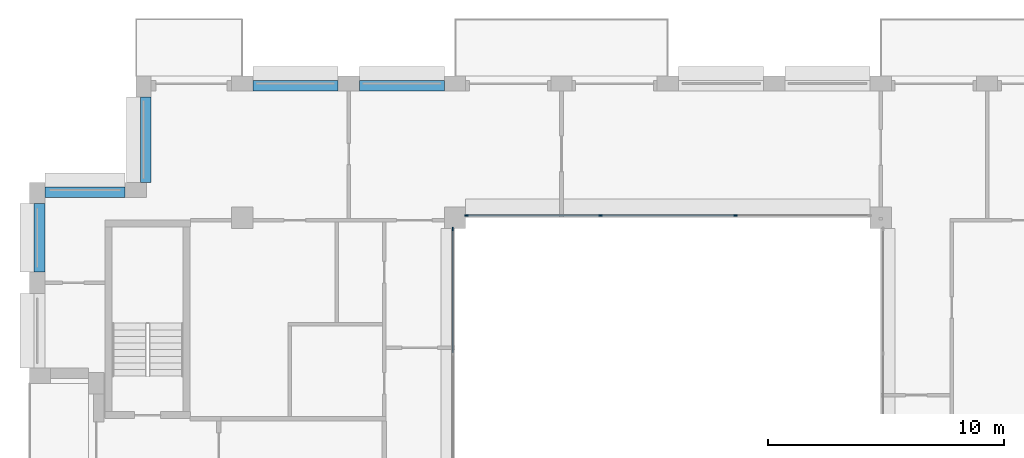
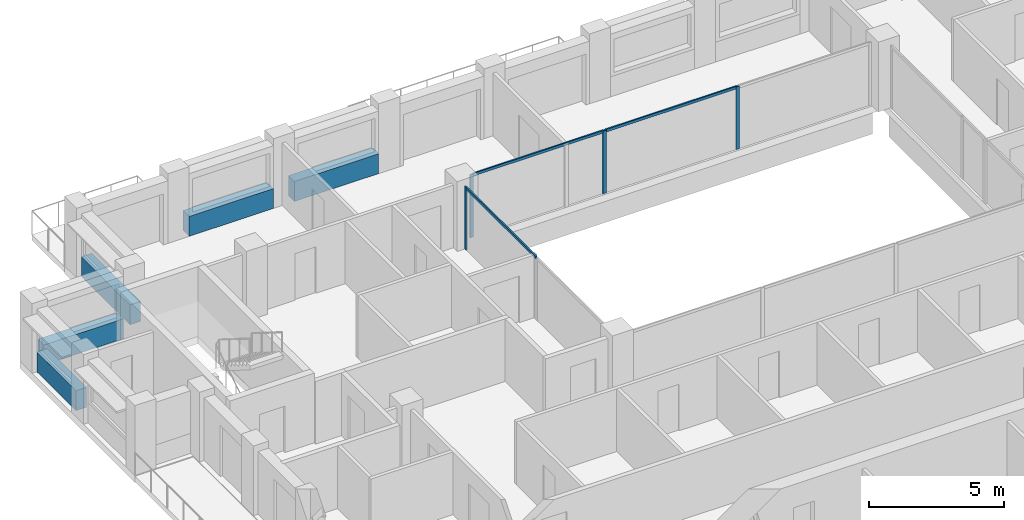
# One storey, part 5 of 15: 7 members, 5 beams, 2 elements without a shape of their own.
"""IFC4 building model written with IfcOpenShell, lengths in metres."""

from ifc_helpers import new_model, si_unit, direction, frame, origin, origin_2d, place, context, subcontext, project, spatial, rectangle, extrude, material, layer, layer_set, material_profile, profile_set, type_object, element, aggregate, save


model = new_model("IFC4")

# Units and contexts
model_context = context("Model", 3, precision=1e-05, world=origin(), true_north=direction((0.0, 1.0)))
body_context = subcontext(model_context, "Body", "Model", "MODEL_VIEW")
ifc_project = project(units=[si_unit("LENGTHUNIT", "METRE"), si_unit("AREAUNIT", "SQUARE_METRE"), si_unit("VOLUMEUNIT", "CUBIC_METRE"), si_unit("PLANEANGLEUNIT", "RADIAN"), si_unit("MASSUNIT", "GRAM", prefix="KILO")], contexts=[model_context])

# Site, building, storey
site_placement = place(None, origin())
site = spatial("IfcSite", under=ifc_project, at=site_placement, CompositionType="ELEMENT")
building_placement = place(site_placement, origin())
building = spatial("IfcBuilding", under=site, at=building_placement, Name="Brigalow Station Residences", CompositionType="ELEMENT")
storey_placement = place(building_placement, frame((0.0, 0.0, 216.89990234375)))
storey = spatial("IfcBuildingStorey", under=building, at=storey_placement, Name="L62", CompositionType="ELEMENT", Elevation=216.89990234375)

# Curtain wall, members
ifc_material_1 = material(Name="Aluminium", Category="aluminium")
ifc_layer = layer(ifc_material_1, 0.14990234375)
ifc_layer_set = layer_set([ifc_layer], Name="ATRIUM FIRE-RATED GLAZING CURTAIN WALL")
curtain_wall_type = type_object("IfcCurtainWallType", Name="ATRIUM FIRE-RATED GLAZING CURTAIN WALL", PredefinedType="NOTDEFINED", material=ifc_layer_set)
curtain_wall_1_placement = place(storey_placement, origin())
curtain_wall_1 = element("IfcCurtainWall", 1, at=curtain_wall_1_placement, inside=storey, type_object=curtain_wall_type, Name="L62/cw/atrium-N", PredefinedType="NOTDEFINED")
ifc_material_2 = material(Name="Aluminium", Category="aluminium")
ifc_material_profile_1 = material_profile(ifc_material_2, rectangle(XDim=0.06005859375, YDim=0.14990234375, at=origin_2d()), Name="ATRIUM FIRE-RATED GLAZING MULLION 60x150")
ifc_profile_set_1 = profile_set([ifc_material_profile_1], Name="Aluminium")
member_type_1 = type_object("IfcMemberType", Name="ATRIUM FIRE-RATED GLAZING MULLION 60x150", PredefinedType="MULLION", material=ifc_profile_set_1)
member_1_placement = place(storey_placement, frame((38.85009765625, 35.60009765625, 0.0), z_axis=(0.0, 0.0, 1.0), x_axis=(0.0, -1.0, 0.0)))
member_1 = element("IfcMember", 2, at=member_1_placement, type_object=member_type_1, Name="L62/cw/atrium-N/M01", PredefinedType="MULLION", context=body_context, shape_type="SweptSolid", body=[
    extrude(rectangle(XDim=0.06005859375, YDim=0.14990234375, at=origin_2d()), origin(), (0.0, 0.0, 1.0), 2.830078125),
])
member_2_placement = place(storey_placement, frame((33.14990234375, 35.60009765625, 0.0), z_axis=(0.0, 0.0, 1.0), x_axis=(0.0, -1.0, 0.0)))
member_2 = element("IfcMember", 3, at=member_2_placement, type_object=member_type_1, Name="L62/cw/atrium-N/M02", PredefinedType="MULLION", context=body_context, shape_type="SweptSolid", body=[
    extrude(rectangle(XDim=0.06005859375, YDim=0.14990234375, at=origin_2d()), origin(), (0.0, 0.0, 1.0), 2.830078125),
])
member_3_placement = place(storey_placement, frame((27.47998046875, 35.60009765625, 0.0), z_axis=(0.0, 0.0, 1.0), x_axis=(0.0, -1.0, 0.0)))
member_3 = element("IfcMember", 4, at=member_3_placement, type_object=member_type_1, Name="L62/cw/atrium-N/M03", PredefinedType="MULLION", context=body_context, shape_type="SweptSolid", body=[
    extrude(rectangle(XDim=0.06005859375, YDim=0.14990234375, at=origin_2d()), origin(), (0.0, 0.0, 1.0), 2.830078125),
])

# Curtain wall, member
curtain_wall_2_placement = place(storey_placement, origin())
curtain_wall_2 = element("IfcCurtainWall", 5, at=curtain_wall_2_placement, inside=storey, type_object=curtain_wall_type, Name="L62/cw/atrium-W", PredefinedType="NOTDEFINED")
member_4_placement = place(storey_placement, frame((26.89990234375, 35.02001953125, 0.0), z_axis=(0.0, 0.0, 1.0), x_axis=(1.0, 0.0, 0.0)))
member_4 = element("IfcMember", 6, at=member_4_placement, type_object=member_type_1, Name="L62/cw/atrium-W/M00", PredefinedType="MULLION", context=body_context, shape_type="SweptSolid", body=[
    extrude(rectangle(XDim=0.06005859375, YDim=0.14990234375, at=origin_2d()), origin(), (0.0, 0.0, 1.0), 2.830078125),
])

# Member
ifc_material_3 = material(Name="Aluminium", Category="aluminium")
ifc_material_profile_2 = material_profile(ifc_material_3, rectangle(XDim=0.06005859375, YDim=0.1201171875, at=origin_2d()), Name="ATRIUM FIRE-RATED GLAZING TRANSOM 60x120")
ifc_profile_set_2 = profile_set([ifc_material_profile_2], Name="Aluminium")
member_type_2 = type_object("IfcMemberType", Name="ATRIUM FIRE-RATED GLAZING TRANSOM 60x120", PredefinedType="USERDEFINED", material=ifc_profile_set_2)
member_5_placement = place(storey_placement, frame((38.820068359375, 35.60009765625, 2.800048828125), z_axis=(-1.0, 0.0, 0.0), x_axis=(0.0, -1.0, 0.0)))
member_5 = element("IfcMember", 7, at=member_5_placement, type_object=member_type_2, Name="L62/cw/atrium-N/T01-00", ObjectType="TRANSOM", PredefinedType="USERDEFINED", context=body_context, shape_type="SweptSolid", body=[
    extrude(rectangle(XDim=0.06005859375, YDim=0.1201171875, at=origin_2d()), origin(), (0.0, 0.0, 1.0), 5.64013671875),
])

member_6_placement = place(storey_placement, frame((33.1201171875, 35.60009765625, 2.800048828125), z_axis=(-1.0, 0.0, 0.0), x_axis=(0.0, -1.0, 0.0)))
member_6 = element("IfcMember", 8, at=member_6_placement, type_object=member_type_2, Name="L62/cw/atrium-N/T02-00", ObjectType="TRANSOM", PredefinedType="USERDEFINED", context=body_context, shape_type="SweptSolid", body=[
    extrude(rectangle(XDim=0.06005859375, YDim=0.1201171875, at=origin_2d()), origin(), (0.0, 0.0, 1.0), 5.610107421875),
])

aggregate(curtain_wall_1, [member_1, member_2, member_3, member_5, member_6])

member_7_placement = place(storey_placement, frame((26.89990234375, 34.989990234375, 2.800048828125), z_axis=(0.0, -1.0, 0.0), x_axis=(1.0, 0.0, 0.0)))
member_7 = element("IfcMember", 9, at=member_7_placement, type_object=member_type_2, Name="L62/cw/atrium-W/T00-00", ObjectType="TRANSOM", PredefinedType="USERDEFINED", context=body_context, shape_type="SweptSolid", body=[
    extrude(rectangle(XDim=0.06005859375, YDim=0.1201171875, at=origin_2d()), origin(), (0.0, 0.0, 1.0), 5.2099609375),
])

aggregate(curtain_wall_2, [member_4, member_7])

# Beams
ifc_material_4 = material(Name="Concrete C50", Category="concrete")
ifc_material_profile_3 = material_profile(ifc_material_4, rectangle(XDim=0.449951171875, YDim=0.89990234375, at=origin_2d()), Name="RC450x900")
ifc_profile_set_3 = profile_set([ifc_material_profile_3], Name="Concrete C50")
beam_type = type_object("IfcBeamType", Name="SPANDREL BEAM 450x900 C50", PredefinedType="SPANDREL", material=ifc_profile_set_3)
for number, where, z_axis, x_axis, name in (
    (10, (26.550048828125, 41.074951171875, 0.4501953125), (-1.0, 0.0, 0.0), (0.0, -1.0, 0.0), "L62/spandrel/W-L62-29"),
    (11, (22.050048828125, 41.074951171875, 0.4501953125), (-1.0, 0.0, 0.0), (0.0, -1.0, 0.0), "L62/spandrel/W-L62-30"),
    (12, (13.925048828125, 40.60009765625, 0.4501953125), (0.0, -1.0, 0.0), (1.0, 0.0, 0.0), "L62/spandrel/W-L62-32"),
):
    element("IfcBeam", number, at=place(storey_placement, frame(where, z_axis=z_axis, x_axis=x_axis)), inside=storey, type_object=beam_type, Name=name, PredefinedType="SPANDREL", context=body_context, shape_type="SweptSolid", body=[
        extrude(rectangle(XDim=0.449951171875, YDim=0.89990234375, at=origin_2d()), origin(), (0.0, 0.0, 1.0), 3.60009765625),
    ])
beam_1_placement = place(storey_placement, frame((13.050048828125, 36.574951171875, 0.4501953125), z_axis=(-1.0, 0.0, 0.0), x_axis=(0.0, -1.0, 0.0)))
element("IfcBeam", 13, at=beam_1_placement, inside=storey, type_object=beam_type, Name="L62/spandrel/W-L62-33", PredefinedType="SPANDREL", context=body_context, shape_type="SweptSolid", body=[
    extrude(rectangle(XDim=0.449951171875, YDim=0.89990234375, at=origin_2d()), origin(), (0.0, 0.0, 1.0), 3.400146484375),
])
beam_2_placement = place(storey_placement, frame((9.425048828125, 36.10009765625, 0.4501953125), z_axis=(0.0, -1.0, 0.0), x_axis=(1.0, 0.0, 0.0)))
element("IfcBeam", 14, at=beam_2_placement, inside=storey, type_object=beam_type, Name="L62/spandrel/W-L62-34", PredefinedType="SPANDREL", context=body_context, shape_type="SweptSolid", body=[
    extrude(rectangle(XDim=0.449951171875, YDim=0.89990234375, at=origin_2d()), origin(), (0.0, 0.0, 1.0), 2.900146484375),
])

save(model, "model.ifc")
